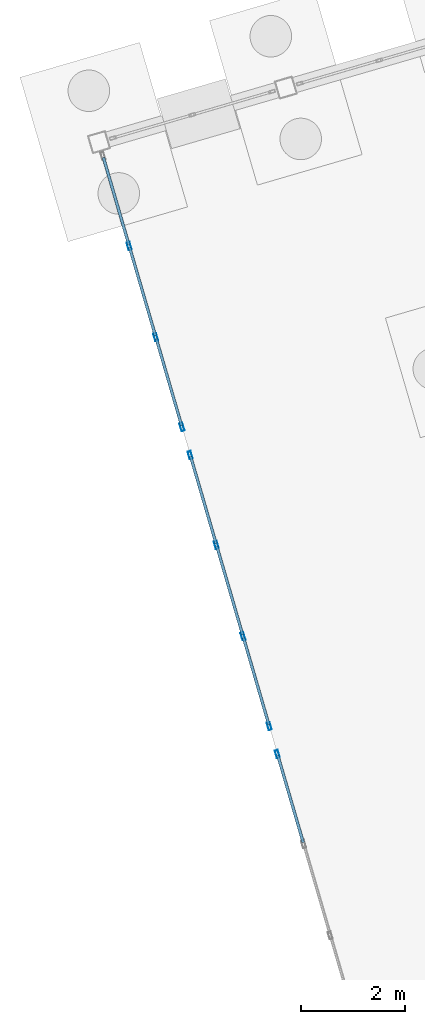
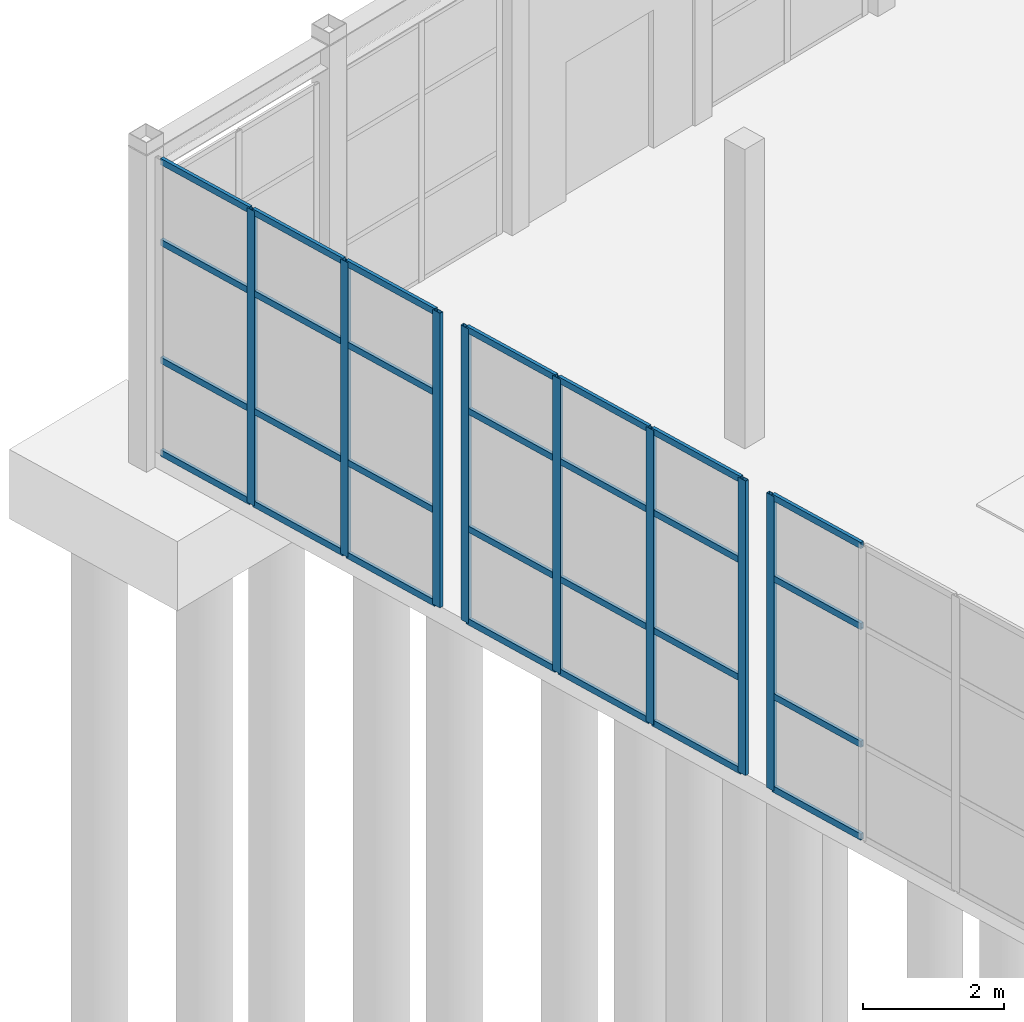
# One storey, part 30 of 90: 36 members, 3 elements without a shape of their own.
"""IFC4 building model written with IfcOpenShell, lengths in metres."""

from ifc_helpers import new_model, si_unit, direction, frame, origin, origin_2d, place, context, subcontext, project, spatial, hollow_rectangle, extrude, material, layer, layer_set, material_profile, profile_set, type_object, element, aggregate, save


model = new_model("IFC4")

# Units and contexts
model_context = context("Model", 3, precision=1e-05, world=origin(), true_north=direction((0.0, 1.0)))
body_context = subcontext(model_context, "Body", "Model", "MODEL_VIEW")
ifc_project = project(units=[si_unit("LENGTHUNIT", "METRE"), si_unit("AREAUNIT", "SQUARE_METRE"), si_unit("VOLUMEUNIT", "CUBIC_METRE"), si_unit("PLANEANGLEUNIT", "RADIAN"), si_unit("MASSUNIT", "GRAM", prefix="KILO")], contexts=[model_context])

# Site, building, storey
site_placement = place(None, origin())
site = spatial("IfcSite", under=ifc_project, at=site_placement, CompositionType="ELEMENT")
building_placement = place(site_placement, origin())
building = spatial("IfcBuilding", under=site, at=building_placement, Name="Canggui Botanical Conservatory", CompositionType="ELEMENT")
storey_placement = place(building_placement, origin())
storey = spatial("IfcBuildingStorey", under=building, at=storey_placement, Name="L01", CompositionType="ELEMENT", Elevation=0.0)

# Curtain wall, member
ifc_material = material(Name="Thermally Broken Aluminium", Category="aluminium")
ifc_layer = layer(ifc_material, 0.14990234375, Name="Thermally Broken Aluminium", Category="aluminium")
ifc_layer_set = layer_set([ifc_layer], Name="Thermally Broken Aluminium")
curtain_wall_type = type_object("IfcCurtainWallType", Name="CW-UNIT-C", PredefinedType="USERDEFINED", material=ifc_layer_set)
curtain_wall_1_placement = place(storey_placement, origin())
curtain_wall_1 = element("IfcCurtainWall", 1, at=curtain_wall_1_placement, inside=storey, type_object=curtain_wall_type, Name="Facade Curtain Wall CW-CONS-GABLE-S-03", ObjectType="UNITISED CURTAIN WALL", PredefinedType="USERDEFINED")
ifc_material_profile_1 = material_profile(ifc_material, hollow_rectangle(XDim=0.06005859375, YDim=0.14990234375, WallThickness=0.00341796875, at=origin_2d()), Name="CWM 60x150x3.5")
ifc_profile_set_1 = profile_set([ifc_material_profile_1], Name="Thermally Broken Aluminium")
member_type_1 = type_object("IfcMemberType", Name="CWM-03", PredefinedType="MULLION", material=ifc_profile_set_1)
member_1_placement = place(storey_placement, frame((15.038330078125, 59.01123046875, 0.0), z_axis=(0.0, 0.0, 1.0), x_axis=(-0.960000000002, -0.279999999995, 0.0)))
member_1 = element("IfcMember", 2, at=member_1_placement, type_object=member_type_1, Name="CW-03 mullion 4", PredefinedType="MULLION", context=body_context, shape_type="SweptSolid", body=[
    extrude(hollow_rectangle(XDim=0.06005859375, YDim=0.14990234375, WallThickness=0.00341796875, at=origin_2d()), origin(), (0.0, 0.0, 1.0), 5.10009765625),
])

# Curtain wall, members
curtain_wall_2_placement = place(storey_placement, origin())
curtain_wall_2 = element("IfcCurtainWall", 3, at=curtain_wall_2_placement, inside=storey, type_object=curtain_wall_type, Name="Facade Curtain Wall CW-CONS-GABLE-S-04", ObjectType="UNITISED CURTAIN WALL", PredefinedType="USERDEFINED")
member_2_placement = place(storey_placement, frame((14.881591796875, 59.548828125, 0.0), z_axis=(0.0, 0.0, 1.0), x_axis=(-0.960000000002, -0.279999999995, 0.0)))
member_2 = element("IfcMember", 4, at=member_2_placement, type_object=member_type_1, Name="CW-03 mullion 1", PredefinedType="MULLION", context=body_context, shape_type="SweptSolid", body=[
    extrude(hollow_rectangle(XDim=0.06005859375, YDim=0.14990234375, WallThickness=0.00341796875, at=origin_2d()), origin(), (0.0, 0.0, 1.0), 5.10009765625),
])
member_3_placement = place(storey_placement, frame((14.376708984375, 61.280029296875, 0.0), z_axis=(0.0, 0.0, 1.0), x_axis=(-0.960000000002, -0.279999999995, 0.0)))
member_3 = element("IfcMember", 5, at=member_3_placement, type_object=member_type_1, Name="CW-03 mullion 2", PredefinedType="MULLION", context=body_context, shape_type="SweptSolid", body=[
    extrude(hollow_rectangle(XDim=0.06005859375, YDim=0.14990234375, WallThickness=0.00341796875, at=origin_2d()), origin(), (0.0, 0.0, 1.0), 5.10009765625),
])
member_4_placement = place(storey_placement, frame((13.86328125, 63.0400390625, 0.0), z_axis=(0.0, 0.0, 1.0), x_axis=(-0.960000000002, -0.279999999995, 0.0)))
member_4 = element("IfcMember", 6, at=member_4_placement, type_object=member_type_1, Name="CW-03 mullion 3", PredefinedType="MULLION", context=body_context, shape_type="SweptSolid", body=[
    extrude(hollow_rectangle(XDim=0.06005859375, YDim=0.14990234375, WallThickness=0.00341796875, at=origin_2d()), origin(), (0.0, 0.0, 1.0), 5.10009765625),
])
member_5_placement = place(storey_placement, frame((13.3583984375, 64.771240234375, 0.0), z_axis=(0.0, 0.0, 1.0), x_axis=(-0.960000000002, -0.279999999995, 0.0)))
member_5 = element("IfcMember", 7, at=member_5_placement, type_object=member_type_1, Name="CW-03 mullion 4", PredefinedType="MULLION", context=body_context, shape_type="SweptSolid", body=[
    extrude(hollow_rectangle(XDim=0.06005859375, YDim=0.14990234375, WallThickness=0.00341796875, at=origin_2d()), origin(), (0.0, 0.0, 1.0), 5.10009765625),
])

curtain_wall_3_placement = place(storey_placement, origin())
curtain_wall_3 = element("IfcCurtainWall", 8, at=curtain_wall_3_placement, inside=storey, type_object=curtain_wall_type, Name="Facade Curtain Wall CW-CONS-GABLE-S-05", ObjectType="UNITISED CURTAIN WALL", PredefinedType="USERDEFINED")
member_6_placement = place(storey_placement, frame((13.20166015625, 65.308837890625, 0.0), z_axis=(0.0, 0.0, 1.0), x_axis=(-0.960000000002, -0.279999999995, 0.0)))
member_6 = element("IfcMember", 9, at=member_6_placement, type_object=member_type_1, Name="CW-03 mullion 1", PredefinedType="MULLION", context=body_context, shape_type="SweptSolid", body=[
    extrude(hollow_rectangle(XDim=0.06005859375, YDim=0.14990234375, WallThickness=0.00341796875, at=origin_2d()), origin(), (0.0, 0.0, 1.0), 5.10009765625),
])
member_7_placement = place(storey_placement, frame((12.69677734375, 67.0400390625, 0.0), z_axis=(0.0, 0.0, 1.0), x_axis=(-0.960000000002, -0.279999999995, 0.0)))
member_7 = element("IfcMember", 10, at=member_7_placement, type_object=member_type_1, Name="CW-03 mullion 2", PredefinedType="MULLION", context=body_context, shape_type="SweptSolid", body=[
    extrude(hollow_rectangle(XDim=0.06005859375, YDim=0.14990234375, WallThickness=0.00341796875, at=origin_2d()), origin(), (0.0, 0.0, 1.0), 5.10009765625),
])
member_8_placement = place(storey_placement, frame((12.183349609375, 68.800048828125, 0.0), z_axis=(0.0, 0.0, 1.0), x_axis=(-0.960000000002, -0.279999999995, 0.0)))
member_8 = element("IfcMember", 11, at=member_8_placement, type_object=member_type_1, Name="CW-03 mullion 3", PredefinedType="MULLION", context=body_context, shape_type="SweptSolid", body=[
    extrude(hollow_rectangle(XDim=0.06005859375, YDim=0.14990234375, WallThickness=0.00341796875, at=origin_2d()), origin(), (0.0, 0.0, 1.0), 5.10009765625),
])

# Member
ifc_material_profile_2 = material_profile(ifc_material, hollow_rectangle(XDim=0.054931640625, YDim=0.110107421875, WallThickness=0.0029296875, at=origin_2d()), Name="CWT 55x110x3")
ifc_profile_set_2 = profile_set([ifc_material_profile_2], Name="Thermally Broken Aluminium")
member_type_2 = type_object("IfcMemberType", Name="CWT-03", PredefinedType="USERDEFINED", material=ifc_profile_set_2)
member_9_placement = place(storey_placement, frame((15.534912109375, 57.308837890625, 0.027587890625), z_axis=(-0.279951599808, 0.960014115399, 0.0), x_axis=(-0.960014115399, -0.279951599808, 0.0)))
member_9 = element("IfcMember", 12, at=member_9_placement, type_object=member_type_2, Name="CW-03 transom 3.1", ObjectType="TRANSOM", PredefinedType="USERDEFINED", context=body_context, shape_type="SweptSolid", body=[
    extrude(hollow_rectangle(XDim=0.054931640625, YDim=0.110107421875, WallThickness=0.0029296875, at=origin_2d()), origin(), (0.0, 0.0, 1.0), 1.743408203125),
])

member_10_placement = place(storey_placement, frame((15.534912109375, 57.308837890625, 1.632080078125), z_axis=(-0.279951599808, 0.960014115399, 0.0), x_axis=(-0.960014115399, -0.279951599808, 0.0)))
member_10 = element("IfcMember", 13, at=member_10_placement, type_object=member_type_2, Name="CW-03 transom 3.2", ObjectType="TRANSOM", PredefinedType="USERDEFINED", context=body_context, shape_type="SweptSolid", body=[
    extrude(hollow_rectangle(XDim=0.054931640625, YDim=0.110107421875, WallThickness=0.0029296875, at=origin_2d()), origin(), (0.0, 0.0, 1.0), 1.743408203125),
])

member_11_placement = place(storey_placement, frame((15.534912109375, 57.308837890625, 3.672119140625), z_axis=(-0.279951599808, 0.960014115399, 0.0), x_axis=(-0.960014115399, -0.279951599808, 0.0)))
member_11 = element("IfcMember", 14, at=member_11_placement, type_object=member_type_2, Name="CW-03 transom 3.3", ObjectType="TRANSOM", PredefinedType="USERDEFINED", context=body_context, shape_type="SweptSolid", body=[
    extrude(hollow_rectangle(XDim=0.054931640625, YDim=0.110107421875, WallThickness=0.0029296875, at=origin_2d()), origin(), (0.0, 0.0, 1.0), 1.743408203125),
])

member_12_placement = place(storey_placement, frame((15.534912109375, 57.308837890625, 5.072509765625), z_axis=(-0.279951599808, 0.960014115399, 0.0), x_axis=(-0.960014115399, -0.279951599808, 0.0)))
member_12 = element("IfcMember", 15, at=member_12_placement, type_object=member_type_2, Name="CW-03 transom 3.4", ObjectType="TRANSOM", PredefinedType="USERDEFINED", context=body_context, shape_type="SweptSolid", body=[
    extrude(hollow_rectangle(XDim=0.054931640625, YDim=0.110107421875, WallThickness=0.0029296875, at=origin_2d()), origin(), (0.0, 0.0, 1.0), 1.743408203125),
])

aggregate(curtain_wall_1, [member_1, member_9, member_10, member_11, member_12])

member_13_placement = place(storey_placement, frame((14.873291015625, 59.57763671875, 0.027587890625), z_axis=(-0.280080662242, 0.959976469836, 0.0), x_axis=(-0.959976469836, -0.280080662242, 0.0)))
member_13 = element("IfcMember", 16, at=member_13_placement, type_object=member_type_2, Name="CW-03 transom 1.1", ObjectType="TRANSOM", PredefinedType="USERDEFINED", context=body_context, shape_type="SweptSolid", body=[
    extrude(hollow_rectangle(XDim=0.054931640625, YDim=0.110107421875, WallThickness=0.0029296875, at=origin_2d()), origin(), (0.0, 0.0, 1.0), 1.743408203125),
])

member_14_placement = place(storey_placement, frame((14.873291015625, 59.57763671875, 1.632080078125), z_axis=(-0.280080662242, 0.959976469836, 0.0), x_axis=(-0.959976469836, -0.280080662242, 0.0)))
member_14 = element("IfcMember", 17, at=member_14_placement, type_object=member_type_2, Name="CW-03 transom 1.2", ObjectType="TRANSOM", PredefinedType="USERDEFINED", context=body_context, shape_type="SweptSolid", body=[
    extrude(hollow_rectangle(XDim=0.054931640625, YDim=0.110107421875, WallThickness=0.0029296875, at=origin_2d()), origin(), (0.0, 0.0, 1.0), 1.743408203125),
])

member_15_placement = place(storey_placement, frame((14.873291015625, 59.57763671875, 3.672119140625), z_axis=(-0.280080662242, 0.959976469836, 0.0), x_axis=(-0.959976469836, -0.280080662242, 0.0)))
member_15 = element("IfcMember", 18, at=member_15_placement, type_object=member_type_2, Name="CW-03 transom 1.3", ObjectType="TRANSOM", PredefinedType="USERDEFINED", context=body_context, shape_type="SweptSolid", body=[
    extrude(hollow_rectangle(XDim=0.054931640625, YDim=0.110107421875, WallThickness=0.0029296875, at=origin_2d()), origin(), (0.0, 0.0, 1.0), 1.743408203125),
])

member_16_placement = place(storey_placement, frame((14.873291015625, 59.57763671875, 5.072509765625), z_axis=(-0.280080662242, 0.959976469836, 0.0), x_axis=(-0.959976469836, -0.280080662242, 0.0)))
member_16 = element("IfcMember", 19, at=member_16_placement, type_object=member_type_2, Name="CW-03 transom 1.4", ObjectType="TRANSOM", PredefinedType="USERDEFINED", context=body_context, shape_type="SweptSolid", body=[
    extrude(hollow_rectangle(XDim=0.054931640625, YDim=0.110107421875, WallThickness=0.0029296875, at=origin_2d()), origin(), (0.0, 0.0, 1.0), 1.743408203125),
])

member_17_placement = place(storey_placement, frame((14.3681640625, 61.308837890625, 0.027587890625), z_axis=(-0.279899548536, 0.960029292641, 0.0), x_axis=(-0.960029292641, -0.279899548536, 0.0)))
member_17 = element("IfcMember", 20, at=member_17_placement, type_object=member_type_2, Name="CW-03 transom 2.1", ObjectType="TRANSOM", PredefinedType="USERDEFINED", context=body_context, shape_type="SweptSolid", body=[
    extrude(hollow_rectangle(XDim=0.054931640625, YDim=0.110107421875, WallThickness=0.0029296875, at=origin_2d()), origin(), (0.0, 0.0, 1.0), 1.773193359375),
])

member_18_placement = place(storey_placement, frame((14.3681640625, 61.308837890625, 1.632080078125), z_axis=(-0.279899548536, 0.960029292641, 0.0), x_axis=(-0.960029292641, -0.279899548536, 0.0)))
member_18 = element("IfcMember", 21, at=member_18_placement, type_object=member_type_2, Name="CW-03 transom 2.2", ObjectType="TRANSOM", PredefinedType="USERDEFINED", context=body_context, shape_type="SweptSolid", body=[
    extrude(hollow_rectangle(XDim=0.054931640625, YDim=0.110107421875, WallThickness=0.0029296875, at=origin_2d()), origin(), (0.0, 0.0, 1.0), 1.773193359375),
])

member_19_placement = place(storey_placement, frame((14.3681640625, 61.308837890625, 3.672119140625), z_axis=(-0.279899548536, 0.960029292641, 0.0), x_axis=(-0.960029292641, -0.279899548536, 0.0)))
member_19 = element("IfcMember", 22, at=member_19_placement, type_object=member_type_2, Name="CW-03 transom 2.3", ObjectType="TRANSOM", PredefinedType="USERDEFINED", context=body_context, shape_type="SweptSolid", body=[
    extrude(hollow_rectangle(XDim=0.054931640625, YDim=0.110107421875, WallThickness=0.0029296875, at=origin_2d()), origin(), (0.0, 0.0, 1.0), 1.773193359375),
])

member_20_placement = place(storey_placement, frame((14.3681640625, 61.308837890625, 5.072509765625), z_axis=(-0.279899548536, 0.960029292641, 0.0), x_axis=(-0.960029292641, -0.279899548536, 0.0)))
member_20 = element("IfcMember", 23, at=member_20_placement, type_object=member_type_2, Name="CW-03 transom 2.4", ObjectType="TRANSOM", PredefinedType="USERDEFINED", context=body_context, shape_type="SweptSolid", body=[
    extrude(hollow_rectangle(XDim=0.054931640625, YDim=0.110107421875, WallThickness=0.0029296875, at=origin_2d()), origin(), (0.0, 0.0, 1.0), 1.773193359375),
])

member_21_placement = place(storey_placement, frame((13.85498046875, 63.06884765625, 0.027587890625), z_axis=(-0.280080662242, 0.959976469836, 0.0), x_axis=(-0.959976469836, -0.280080662242, 0.0)))
member_21 = element("IfcMember", 24, at=member_21_placement, type_object=member_type_2, Name="CW-03 transom 3.1", ObjectType="TRANSOM", PredefinedType="USERDEFINED", context=body_context, shape_type="SweptSolid", body=[
    extrude(hollow_rectangle(XDim=0.054931640625, YDim=0.110107421875, WallThickness=0.0029296875, at=origin_2d()), origin(), (0.0, 0.0, 1.0), 1.743408203125),
])

member_22_placement = place(storey_placement, frame((13.85498046875, 63.06884765625, 1.632080078125), z_axis=(-0.280080662242, 0.959976469836, 0.0), x_axis=(-0.959976469836, -0.280080662242, 0.0)))
member_22 = element("IfcMember", 25, at=member_22_placement, type_object=member_type_2, Name="CW-03 transom 3.2", ObjectType="TRANSOM", PredefinedType="USERDEFINED", context=body_context, shape_type="SweptSolid", body=[
    extrude(hollow_rectangle(XDim=0.054931640625, YDim=0.110107421875, WallThickness=0.0029296875, at=origin_2d()), origin(), (0.0, 0.0, 1.0), 1.743408203125),
])

member_23_placement = place(storey_placement, frame((13.85498046875, 63.06884765625, 3.672119140625), z_axis=(-0.280080662242, 0.959976469836, 0.0), x_axis=(-0.959976469836, -0.280080662242, 0.0)))
member_23 = element("IfcMember", 26, at=member_23_placement, type_object=member_type_2, Name="CW-03 transom 3.3", ObjectType="TRANSOM", PredefinedType="USERDEFINED", context=body_context, shape_type="SweptSolid", body=[
    extrude(hollow_rectangle(XDim=0.054931640625, YDim=0.110107421875, WallThickness=0.0029296875, at=origin_2d()), origin(), (0.0, 0.0, 1.0), 1.743408203125),
])

member_24_placement = place(storey_placement, frame((13.85498046875, 63.06884765625, 5.072509765625), z_axis=(-0.280080662242, 0.959976469836, 0.0), x_axis=(-0.959976469836, -0.280080662242, 0.0)))
member_24 = element("IfcMember", 27, at=member_24_placement, type_object=member_type_2, Name="CW-03 transom 3.4", ObjectType="TRANSOM", PredefinedType="USERDEFINED", context=body_context, shape_type="SweptSolid", body=[
    extrude(hollow_rectangle(XDim=0.054931640625, YDim=0.110107421875, WallThickness=0.0029296875, at=origin_2d()), origin(), (0.0, 0.0, 1.0), 1.743408203125),
])

aggregate(curtain_wall_2, [member_2, member_3, member_4, member_5, member_13, member_14, member_15, member_16, member_17, member_18, member_19, member_20, member_21, member_22, member_23, member_24])

member_25_placement = place(storey_placement, frame((13.193115234375, 65.337646484375, 0.027587890625), z_axis=(-0.279951599808, 0.960014115399, 0.0), x_axis=(-0.960014115399, -0.279951599808, 0.0)))
member_25 = element("IfcMember", 28, at=member_25_placement, type_object=member_type_2, Name="CW-03 transom 1.1", ObjectType="TRANSOM", PredefinedType="USERDEFINED", context=body_context, shape_type="SweptSolid", body=[
    extrude(hollow_rectangle(XDim=0.054931640625, YDim=0.110107421875, WallThickness=0.0029296875, at=origin_2d()), origin(), (0.0, 0.0, 1.0), 1.743408203125),
])

member_26_placement = place(storey_placement, frame((13.193115234375, 65.337646484375, 1.632080078125), z_axis=(-0.279951599808, 0.960014115399, 0.0), x_axis=(-0.960014115399, -0.279951599808, 0.0)))
member_26 = element("IfcMember", 29, at=member_26_placement, type_object=member_type_2, Name="CW-03 transom 1.2", ObjectType="TRANSOM", PredefinedType="USERDEFINED", context=body_context, shape_type="SweptSolid", body=[
    extrude(hollow_rectangle(XDim=0.054931640625, YDim=0.110107421875, WallThickness=0.0029296875, at=origin_2d()), origin(), (0.0, 0.0, 1.0), 1.743408203125),
])

member_27_placement = place(storey_placement, frame((13.193115234375, 65.337646484375, 3.672119140625), z_axis=(-0.279951599808, 0.960014115399, 0.0), x_axis=(-0.960014115399, -0.279951599808, 0.0)))
member_27 = element("IfcMember", 30, at=member_27_placement, type_object=member_type_2, Name="CW-03 transom 1.3", ObjectType="TRANSOM", PredefinedType="USERDEFINED", context=body_context, shape_type="SweptSolid", body=[
    extrude(hollow_rectangle(XDim=0.054931640625, YDim=0.110107421875, WallThickness=0.0029296875, at=origin_2d()), origin(), (0.0, 0.0, 1.0), 1.743408203125),
])

member_28_placement = place(storey_placement, frame((13.193115234375, 65.337646484375, 5.072509765625), z_axis=(-0.279951599808, 0.960014115399, 0.0), x_axis=(-0.960014115399, -0.279951599808, 0.0)))
member_28 = element("IfcMember", 31, at=member_28_placement, type_object=member_type_2, Name="CW-03 transom 1.4", ObjectType="TRANSOM", PredefinedType="USERDEFINED", context=body_context, shape_type="SweptSolid", body=[
    extrude(hollow_rectangle(XDim=0.054931640625, YDim=0.110107421875, WallThickness=0.0029296875, at=origin_2d()), origin(), (0.0, 0.0, 1.0), 1.743408203125),
])

member_29_placement = place(storey_placement, frame((12.688232421875, 67.06884765625, 0.027587890625), z_axis=(-0.280026433067, 0.95999228996, 0.0), x_axis=(-0.95999228996, -0.280026433067, 0.0)))
member_29 = element("IfcMember", 32, at=member_29_placement, type_object=member_type_2, Name="CW-03 transom 2.1", ObjectType="TRANSOM", PredefinedType="USERDEFINED", context=body_context, shape_type="SweptSolid", body=[
    extrude(hollow_rectangle(XDim=0.054931640625, YDim=0.110107421875, WallThickness=0.0029296875, at=origin_2d()), origin(), (0.0, 0.0, 1.0), 1.7734375),
])

member_30_placement = place(storey_placement, frame((12.688232421875, 67.06884765625, 1.632080078125), z_axis=(-0.280026433067, 0.95999228996, 0.0), x_axis=(-0.95999228996, -0.280026433067, 0.0)))
member_30 = element("IfcMember", 33, at=member_30_placement, type_object=member_type_2, Name="CW-03 transom 2.2", ObjectType="TRANSOM", PredefinedType="USERDEFINED", context=body_context, shape_type="SweptSolid", body=[
    extrude(hollow_rectangle(XDim=0.054931640625, YDim=0.110107421875, WallThickness=0.0029296875, at=origin_2d()), origin(), (0.0, 0.0, 1.0), 1.7734375),
])

member_31_placement = place(storey_placement, frame((12.688232421875, 67.06884765625, 3.672119140625), z_axis=(-0.280026433067, 0.95999228996, 0.0), x_axis=(-0.95999228996, -0.280026433067, 0.0)))
member_31 = element("IfcMember", 34, at=member_31_placement, type_object=member_type_2, Name="CW-03 transom 2.3", ObjectType="TRANSOM", PredefinedType="USERDEFINED", context=body_context, shape_type="SweptSolid", body=[
    extrude(hollow_rectangle(XDim=0.054931640625, YDim=0.110107421875, WallThickness=0.0029296875, at=origin_2d()), origin(), (0.0, 0.0, 1.0), 1.7734375),
])

member_32_placement = place(storey_placement, frame((12.688232421875, 67.06884765625, 5.072509765625), z_axis=(-0.280026433067, 0.95999228996, 0.0), x_axis=(-0.95999228996, -0.280026433067, 0.0)))
member_32 = element("IfcMember", 35, at=member_32_placement, type_object=member_type_2, Name="CW-03 transom 2.4", ObjectType="TRANSOM", PredefinedType="USERDEFINED", context=body_context, shape_type="SweptSolid", body=[
    extrude(hollow_rectangle(XDim=0.054931640625, YDim=0.110107421875, WallThickness=0.0029296875, at=origin_2d()), origin(), (0.0, 0.0, 1.0), 1.7734375),
])

member_33_placement = place(storey_placement, frame((12.175048828125, 68.828857421875, 0.027587890625), z_axis=(-0.280080662242, 0.959976469836, 0.0), x_axis=(-0.959976469836, -0.280080662242, 0.0)))
member_33 = element("IfcMember", 36, at=member_33_placement, type_object=member_type_2, Name="CW-03 transom 3.1", ObjectType="TRANSOM", PredefinedType="USERDEFINED", context=body_context, shape_type="SweptSolid", body=[
    extrude(hollow_rectangle(XDim=0.054931640625, YDim=0.110107421875, WallThickness=0.0029296875, at=origin_2d()), origin(), (0.0, 0.0, 1.0), 1.743408203125),
])

member_34_placement = place(storey_placement, frame((12.175048828125, 68.828857421875, 1.632080078125), z_axis=(-0.280080662242, 0.959976469836, 0.0), x_axis=(-0.959976469836, -0.280080662242, 0.0)))
member_34 = element("IfcMember", 37, at=member_34_placement, type_object=member_type_2, Name="CW-03 transom 3.2", ObjectType="TRANSOM", PredefinedType="USERDEFINED", context=body_context, shape_type="SweptSolid", body=[
    extrude(hollow_rectangle(XDim=0.054931640625, YDim=0.110107421875, WallThickness=0.0029296875, at=origin_2d()), origin(), (0.0, 0.0, 1.0), 1.743408203125),
])

member_35_placement = place(storey_placement, frame((12.175048828125, 68.828857421875, 3.672119140625), z_axis=(-0.280080662242, 0.959976469836, 0.0), x_axis=(-0.959976469836, -0.280080662242, 0.0)))
member_35 = element("IfcMember", 38, at=member_35_placement, type_object=member_type_2, Name="CW-03 transom 3.3", ObjectType="TRANSOM", PredefinedType="USERDEFINED", context=body_context, shape_type="SweptSolid", body=[
    extrude(hollow_rectangle(XDim=0.054931640625, YDim=0.110107421875, WallThickness=0.0029296875, at=origin_2d()), origin(), (0.0, 0.0, 1.0), 1.743408203125),
])

member_36_placement = place(storey_placement, frame((12.175048828125, 68.828857421875, 5.072509765625), z_axis=(-0.280080662242, 0.959976469836, 0.0), x_axis=(-0.959976469836, -0.280080662242, 0.0)))
member_36 = element("IfcMember", 39, at=member_36_placement, type_object=member_type_2, Name="CW-03 transom 3.4", ObjectType="TRANSOM", PredefinedType="USERDEFINED", context=body_context, shape_type="SweptSolid", body=[
    extrude(hollow_rectangle(XDim=0.054931640625, YDim=0.110107421875, WallThickness=0.0029296875, at=origin_2d()), origin(), (0.0, 0.0, 1.0), 1.743408203125),
])

aggregate(curtain_wall_3, [member_6, member_7, member_8, member_25, member_26, member_27, member_28, member_29, member_30, member_31, member_32, member_33, member_34, member_35, member_36])

save(model, "model.ifc")
